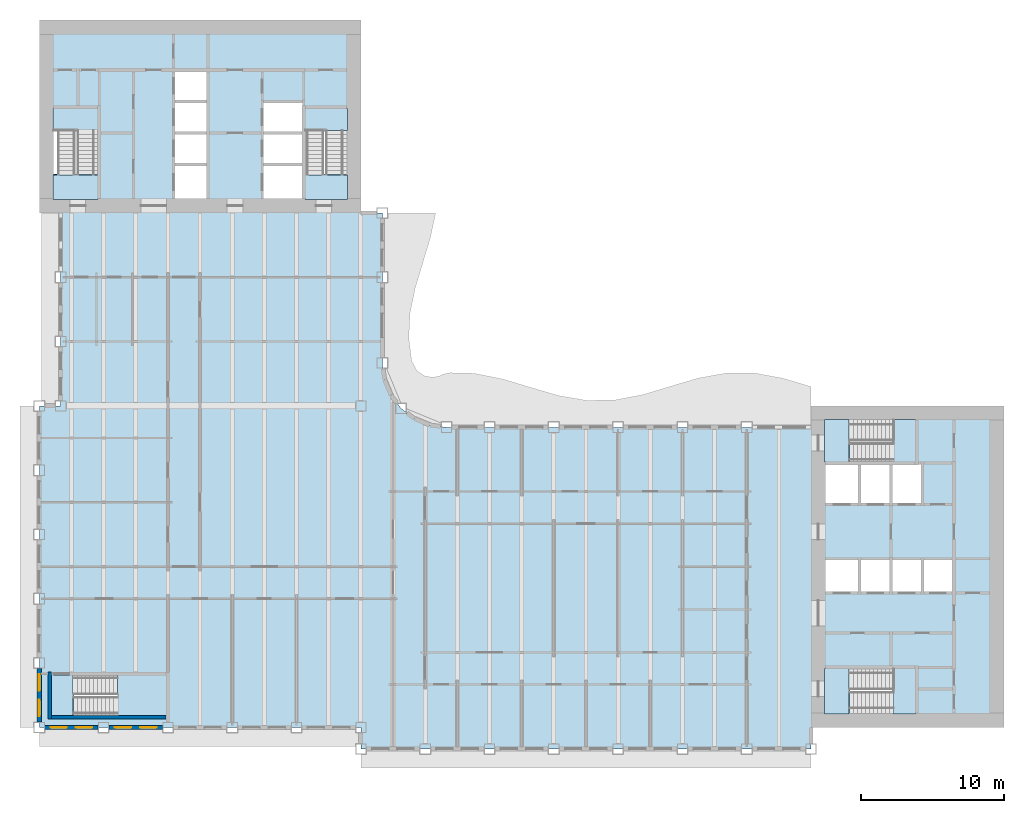
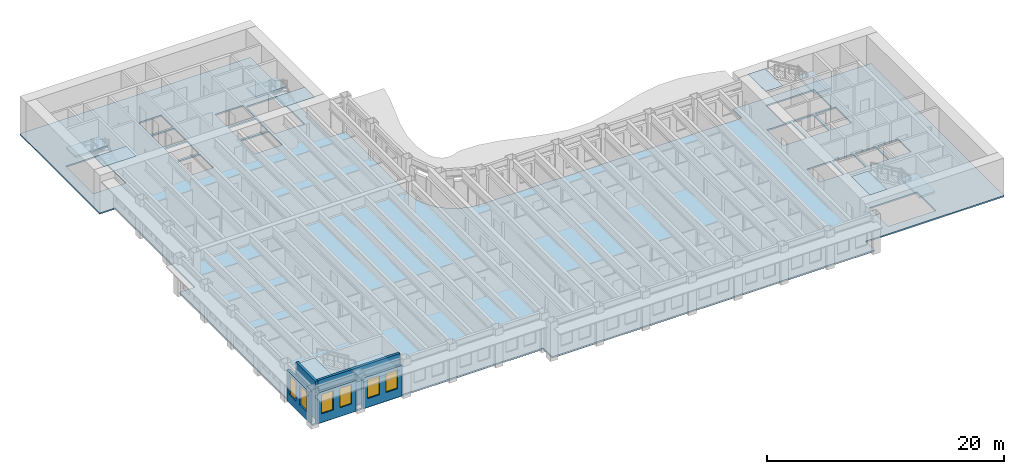
# One storey, part 2 of 17: 11 slabs, 6 windows, 5 walls, 6 openings, 5 elements without a shape of their own.
"""IFC4 building model written with IfcOpenShell, lengths in metres."""

from ifc_helpers import new_model, si_unit, direction, frame, frame_2d, origin, place, context, subcontext, project, spatial, polyline, rectangle, outline, extrude, material, layer, layer_set, type_object, element, fill, aggregate, save


model = new_model("IFC4")

# Units and contexts
model_context = context("Model", 3, precision=1e-05, world=origin(), true_north=direction((0.0, 1.0)))
body_context = subcontext(model_context, "Body", "Model", "MODEL_VIEW")
ifc_project = project(units=[si_unit("LENGTHUNIT", "METRE"), si_unit("AREAUNIT", "SQUARE_METRE"), si_unit("VOLUMEUNIT", "CUBIC_METRE"), si_unit("PLANEANGLEUNIT", "RADIAN"), si_unit("MASSUNIT", "GRAM", prefix="KILO")], contexts=[model_context])

# Site, building, storey
site_placement = place(None, origin())
site = spatial("IfcSite", under=ifc_project, at=site_placement, CompositionType="ELEMENT")
building_placement = place(site_placement, origin())
building = spatial("IfcBuilding", under=site, at=building_placement, Name="Sennacour Bend Tower", CompositionType="ELEMENT")
storey_placement = place(building_placement, frame((0.0, 0.0, 199.0)))
storey = spatial("IfcBuildingStorey", under=building, at=storey_placement, Name="L45", CompositionType="ELEMENT", Elevation=199.0)

# Slabs
ifc_material_1 = material(Name="Concrete C30/37", Category="concrete")
ifc_layer_1 = layer(ifc_material_1, 0.14990234375, Name="Concrete C30/37", Category="concrete")
ifc_layer_set_1 = layer_set([ifc_layer_1], Name="Concrete C30/37")
slab_type_1 = type_object("IfcSlabType", Name="Floor slab 150", PredefinedType="FLOOR", material=ifc_layer_set_1)
slab_1_placement = place(storey_placement, frame((0.0, 0.0, -0.14990234375)))
element("IfcSlab", 1, at=slab_1_placement, inside=storey, type_object=slab_type_1, Name="Floor slab L45-01", PredefinedType="FLOOR", context=body_context, shape_type="SweptSolid", body=[
    extrude(outline(polyline([(22.5, 0.0), (0.0, 0.0), (0.0, 22.5), (1.5, 22.5), (1.5, 36.0), (0.0, 36.0), (0.0, 49.5), (22.5, 49.5), (22.5, 36.0), (24.0, 36.0), (24.0, 25.5), (24.1533203125, 24.335205078125), (24.602783203125, 23.25), (25.318115234375, 22.318115234375), (26.25, 21.602783203125), (27.335205078125, 21.1533203125), (28.5, 21.0), (54.0, 21.0), (54.0, 22.5), (67.5, 22.5), (67.5, 0.0), (54.0, 0.0), (54.0, -1.5), (22.5, -1.5), (22.5, 0.0)]), holes=[polyline([(8.800048828125, 0.949951171875), (8.800048828125, 3.5), (2.429931640625, 3.5), (2.429931640625, 0.949951171875), (8.800048828125, 0.949951171875)]), polyline([(11.699951171875, 37.0), (11.699951171875, 39.300048828125), (9.5, 39.300048828125), (9.5, 37.0), (11.699951171875, 37.0)]), polyline([(18.39990234375, 37.0), (18.39990234375, 39.300048828125), (15.699951171875, 39.300048828125), (15.699951171875, 37.0), (18.39990234375, 37.0)]), polyline([(11.699951171875, 39.5), (11.699951171875, 41.5), (9.5, 41.5), (9.5, 39.5), (11.699951171875, 39.5)]), polyline([(18.39990234375, 39.5), (18.39990234375, 41.5), (15.699951171875, 41.5), (15.699951171875, 39.5), (18.39990234375, 39.5)]), polyline([(4.125, 38.72998046875), (4.125, 43.39990234375), (0.949951171875, 43.39990234375), (0.949951171875, 38.72998046875), (4.125, 38.72998046875)]), polyline([(21.550048828125, 38.72998046875), (21.550048828125, 43.39990234375), (18.574951171875, 43.39990234375), (18.574951171875, 38.72998046875), (21.550048828125, 38.72998046875)]), polyline([(9.5, 41.699951171875), (11.699951171875, 41.699951171875), (11.699951171875, 43.699951171875), (9.5, 43.699951171875), (9.5, 41.699951171875)]), polyline([(15.699951171875, 41.699951171875), (18.39990234375, 41.699951171875), (18.39990234375, 43.699951171875), (15.699951171875, 43.699951171875), (15.699951171875, 41.699951171875)]), polyline([(11.699951171875, 43.89990234375), (11.699951171875, 45.89990234375), (9.5, 45.89990234375), (9.5, 43.89990234375), (11.699951171875, 43.89990234375)]), polyline([(61.39990234375, 0.949951171875), (61.39990234375, 4.125), (56.72998046875, 4.125), (56.72998046875, 0.949951171875), (61.39990234375, 0.949951171875)]), polyline([(57.300048828125, 9.5), (57.300048828125, 11.699951171875), (55.0, 11.699951171875), (55.0, 9.5), (57.300048828125, 9.5)]), polyline([(57.5, 9.5), (59.5, 9.5), (59.5, 11.699951171875), (57.5, 11.699951171875), (57.5, 9.5)]), polyline([(59.699951171875, 9.5), (61.699951171875, 9.5), (61.699951171875, 11.699951171875), (59.699951171875, 11.699951171875), (59.699951171875, 9.5)]), polyline([(63.89990234375, 9.5), (63.89990234375, 11.699951171875), (61.89990234375, 11.699951171875), (61.89990234375, 9.5), (63.89990234375, 9.5)]), polyline([(57.300048828125, 15.699951171875), (57.300048828125, 18.39990234375), (55.0, 18.39990234375), (55.0, 15.699951171875), (57.300048828125, 15.699951171875)]), polyline([(59.5, 15.699951171875), (59.5, 18.39990234375), (57.5, 18.39990234375), (57.5, 15.699951171875), (59.5, 15.699951171875)]), polyline([(59.699951171875, 15.699951171875), (61.699951171875, 15.699951171875), (61.699951171875, 18.39990234375), (59.699951171875, 18.39990234375), (59.699951171875, 15.699951171875)]), polyline([(56.72998046875, 18.574951171875), (61.39990234375, 18.574951171875), (61.39990234375, 21.550048828125), (56.72998046875, 21.550048828125), (56.72998046875, 18.574951171875)])]), origin(), (0.0, 0.0, 1.0), 0.14990234375),
])
ifc_material_2 = material(Name="Concrete C40/50", Category="concrete")
ifc_layer_2 = layer(ifc_material_2, 0.034912109375, Name="Concrete C40/50", Category="concrete")
ifc_layer_set_2 = layer_set([ifc_layer_2], Name="Concrete C40/50")
slab_type_2 = type_object("IfcSlabType", Name="Stair arrival nib 35", PredefinedType="FLOOR", material=ifc_layer_set_2)
slab_2_placement = place(storey_placement, frame((0.0, 0.0, 3.815185546875)))
element("IfcSlab", 2, at=slab_2_placement, inside=storey, type_object=slab_type_2, Name="L45 SA1 stair arrival nib", PredefinedType="FLOOR", context=body_context, shape_type="SweptSolid", body=[
    extrude(outline(polyline([(56.64208984375, 4.125), (54.949951171875, 4.125), (54.949951171875, 0.949951171875), (56.64208984375, 0.949951171875), (56.64208984375, 4.125)])), origin(), (0.0, 0.0, 1.0), 0.034912109375),
])
slab_3_placement = place(storey_placement, frame((0.0, 0.0, 3.815185546875)))
element("IfcSlab", 3, at=slab_3_placement, inside=storey, type_object=slab_type_2, Name="L45 SA2 stair arrival nib", PredefinedType="FLOOR", context=body_context, shape_type="SweptSolid", body=[
    extrude(outline(polyline([(56.64208984375, 21.550048828125), (54.949951171875, 21.550048828125), (54.949951171875, 18.574951171875), (56.64208984375, 18.574951171875), (56.64208984375, 21.550048828125)])), origin(), (0.0, 0.0, 1.0), 0.034912109375),
])
slab_4_placement = place(storey_placement, frame((0.0, 0.0, 3.815185546875)))
element("IfcSlab", 4, at=slab_4_placement, inside=storey, type_object=slab_type_2, Name="L45 SB1 stair arrival nib", PredefinedType="FLOOR", context=body_context, shape_type="SweptSolid", body=[
    extrude(outline(polyline([(0.949951171875, 38.64208984375), (0.949951171875, 36.949951171875), (4.125, 36.949951171875), (4.125, 38.64208984375), (0.949951171875, 38.64208984375)])), origin(), (0.0, 0.0, 1.0), 0.034912109375),
])
slab_5_placement = place(storey_placement, frame((0.0, 0.0, 3.815185546875)))
element("IfcSlab", 5, at=slab_5_placement, inside=storey, type_object=slab_type_2, Name="L45 SB2 stair arrival nib", PredefinedType="FLOOR", context=body_context, shape_type="SweptSolid", body=[
    extrude(outline(polyline([(18.574951171875, 38.64208984375), (18.574951171875, 36.949951171875), (21.550048828125, 36.949951171875), (21.550048828125, 38.64208984375), (18.574951171875, 38.64208984375)])), origin(), (0.0, 0.0, 1.0), 0.034912109375),
])
slab_6_placement = place(storey_placement, frame((0.0, 0.0, 3.815185546875)))
element("IfcSlab", 6, at=slab_6_placement, inside=storey, type_object=slab_type_2, Name="L45 SK1 stair arrival nib", PredefinedType="FLOOR", context=body_context, shape_type="SweptSolid", body=[
    extrude(outline(polyline([(2.342041015625, 3.675048828125), (0.800048828125, 3.675048828125), (0.800048828125, 0.800048828125), (2.342041015625, 0.800048828125), (2.342041015625, 3.675048828125)])), origin(), (0.0, 0.0, 1.0), 0.034912109375),
])

# Stair, slab
stair_type = type_object("IfcStairType", Name="ST-DOGLEG", PredefinedType="HALF_TURN_STAIR", material=ifc_material_2)
stair_1_placement = place(storey_placement, origin())
stair_1 = element("IfcStair", 7, at=stair_1_placement, inside=storey, type_object=stair_type, Name="L45 Exit stair A1", PredefinedType="HALF_TURN_STAIR")
ifc_layer_3 = layer(ifc_material_2, 0.199951171875, Name="Concrete C40/50", Category="concrete")
ifc_layer_set_3 = layer_set([ifc_layer_3], Name="Concrete C40/50")
slab_type_3 = type_object("IfcSlabType", Name="Stair landing 200", PredefinedType="LANDING", material=ifc_layer_set_3)
slab_7_placement = place(storey_placement, frame((0.0, 0.0, 1.800048828125)))
slab_7 = element("IfcSlab", 8, at=slab_7_placement, type_object=slab_type_3, Name="SA1 landing 1", PredefinedType="LANDING", context=body_context, shape_type="SweptSolid", body=[
    extrude(outline(polyline([(59.780029296875, 0.949951171875), (61.324951171875, 0.949951171875), (61.324951171875, 4.125), (59.780029296875, 4.125), (59.780029296875, 0.949951171875)])), origin(), (0.0, 0.0, 1.0), 0.199951171875),
])
aggregate(stair_1, [slab_7])

stair_2_placement = place(storey_placement, origin())
stair_2 = element("IfcStair", 9, at=stair_2_placement, inside=storey, type_object=stair_type, Name="L45 Exit stair A2", PredefinedType="HALF_TURN_STAIR")
slab_8_placement = place(storey_placement, frame((0.0, 0.0, 1.800048828125)))
slab_8 = element("IfcSlab", 10, at=slab_8_placement, type_object=slab_type_3, Name="SA2 landing 1", PredefinedType="LANDING", context=body_context, shape_type="SweptSolid", body=[
    extrude(outline(polyline([(59.780029296875, 18.574951171875), (61.324951171875, 18.574951171875), (61.324951171875, 21.550048828125), (59.780029296875, 21.550048828125), (59.780029296875, 18.574951171875)])), origin(), (0.0, 0.0, 1.0), 0.199951171875),
])
aggregate(stair_2, [slab_8])

stair_3_placement = place(storey_placement, origin())
stair_3 = element("IfcStair", 11, at=stair_3_placement, inside=storey, type_object=stair_type, Name="L45 Exit stair B1", PredefinedType="HALF_TURN_STAIR")
slab_9_placement = place(storey_placement, frame((0.0, 0.0, 1.800048828125)))
slab_9 = element("IfcSlab", 12, at=slab_9_placement, type_object=slab_type_3, Name="SB1 landing 1", PredefinedType="LANDING", context=body_context, shape_type="SweptSolid", body=[
    extrude(outline(polyline([(0.949951171875, 41.780029296875), (4.125, 41.780029296875), (4.125, 43.324951171875), (0.949951171875, 43.324951171875), (0.949951171875, 41.780029296875)])), origin(), (0.0, 0.0, 1.0), 0.199951171875),
])
aggregate(stair_3, [slab_9])

stair_4_placement = place(storey_placement, origin())
stair_4 = element("IfcStair", 13, at=stair_4_placement, inside=storey, type_object=stair_type, Name="L45 Exit stair B2", PredefinedType="HALF_TURN_STAIR")
slab_10_placement = place(storey_placement, frame((0.0, 0.0, 1.800048828125)))
slab_10 = element("IfcSlab", 14, at=slab_10_placement, type_object=slab_type_3, Name="SB2 landing 1", PredefinedType="LANDING", context=body_context, shape_type="SweptSolid", body=[
    extrude(outline(polyline([(18.574951171875, 41.780029296875), (21.550048828125, 41.780029296875), (21.550048828125, 43.324951171875), (18.574951171875, 43.324951171875), (18.574951171875, 41.780029296875)])), origin(), (0.0, 0.0, 1.0), 0.199951171875),
])
aggregate(stair_4, [slab_10])

stair_5_placement = place(storey_placement, origin())
stair_5 = element("IfcStair", 15, at=stair_5_placement, inside=storey, type_object=stair_type, Name="L45 Exit stair K1", PredefinedType="HALF_TURN_STAIR")
slab_11_placement = place(storey_placement, frame((0.0, 0.0, 1.800048828125)))
slab_11 = element("IfcSlab", 16, at=slab_11_placement, type_object=slab_type_3, Name="SK1 landing 1", PredefinedType="LANDING", context=body_context, shape_type="SweptSolid", body=[
    extrude(outline(polyline([(5.47998046875, 0.800048828125), (8.925048828125, 0.800048828125), (8.925048828125, 3.675048828125), (5.47998046875, 3.675048828125), (5.47998046875, 0.800048828125)])), origin(), (0.0, 0.0, 1.0), 0.199951171875),
])
aggregate(stair_5, [slab_11])

# Wall, openings, windows
ifc_material_3 = material(Name="Warm limestone cladding", Category="masonry")
ifc_layer_4 = layer(ifc_material_3, 0.050048828125, Name="Warm limestone cladding", Category="masonry")
ifc_material_4 = material(Name="Precast concrete C40/50", Category="concrete")
ifc_layer_5 = layer(ifc_material_4, 0.25, Name="Precast concrete C40/50", Category="concrete")
ifc_layer_set_4 = layer_set([ifc_layer_4, ifc_layer_5], Name="Precast concrete C40/50 with limestone cladding")
wall_type_1 = type_object("IfcWallType", Name="STONE-CLAD PRECAST SPANDREL 300", PredefinedType="STANDARD", material=ifc_layer_set_4)
wall_1_placement = place(storey_placement, frame((0.0, 4.125, 0.0), z_axis=(0.0, 0.0, 1.0), x_axis=(0.0, -1.0, 0.0)))
wall_1 = element("IfcWall", 17, at=wall_1_placement, inside=storey, type_object=wall_type_1, Name="Stone spandrel and pier wall L45 21.04", PredefinedType="STANDARD", context=body_context, shape_type="SweptSolid", body=[
    extrude(rectangle(XDim=3.75, YDim=0.300048828125, at=frame_2d((1.875, 0.0))), origin(), (0.0, 0.0, 1.0), 3.156982421875),
])
opening_1_placement = place(wall_1_placement, frame((0.41259765625, 0.0, 0.89990234375)))
opening_1 = element("IfcOpeningElement", 18, at=opening_1_placement, cuts=wall_1, Name="Opening W24", PredefinedType="OPENING", context=body_context, shape_type="SweptSolid", body=[
    extrude(rectangle(XDim=1.14990234375, YDim=2.0, at=frame_2d((0.574951171875, 1.0))), frame((0.0, 0.16015625, 0.0), z_axis=(0.0, -1.0, 0.0), x_axis=(1.0, 0.0, 0.0)), (0.0, 0.0, 1.0), 0.320068359375),
])
opening_2_placement = place(wall_1_placement, frame((2.1875, 0.0, 0.89990234375)))
opening_2 = element("IfcOpeningElement", 19, at=opening_2_placement, cuts=wall_1, Name="Opening W24", PredefinedType="OPENING", context=body_context, shape_type="SweptSolid", body=[
    extrude(rectangle(XDim=1.14990234375, YDim=2.0, at=frame_2d((0.574951171875, 1.0))), frame((0.0, 0.16015625, 0.0), z_axis=(0.0, -1.0, 0.0), x_axis=(1.0, 0.0, 0.0)), (0.0, 0.0, 1.0), 0.320068359375),
])
ifc_material_5 = material(Name="Clear low-emissivity glass", Category="glass")
window_type = type_object("IfcWindowType", Name="WIN-RIBBON-1150x2000", PartitioningType="SINGLE_PANEL", PredefinedType="WINDOW", material=ifc_material_5)
window_1_placement = place(opening_1_placement, origin())
window_1 = element("IfcWindow", 20, at=window_1_placement, inside=storey, type_object=window_type, Name="Ribbon window L45 21.04.0", OverallHeight=2.0, OverallWidth=1.14990234375, PartitioningType="SINGLE_PANEL", PredefinedType="WINDOW", context=body_context, shape_type="SweptSolid", body=[
    extrude(rectangle(XDim=1.14990234375, YDim=2.0, at=frame_2d((0.574951171875, 1.0))), frame((0.0, 0.030029296875, 0.0), z_axis=(0.0, -1.0, 0.0), x_axis=(1.0, 0.0, 0.0)), (0.0, 0.0, 1.0), 0.06005859375),
])
fill(opening_1, window_1)
window_2_placement = place(opening_2_placement, origin())
window_2 = element("IfcWindow", 21, at=window_2_placement, inside=storey, type_object=window_type, Name="Ribbon window L45 21.04.1", OverallHeight=2.0, OverallWidth=1.14990234375, PartitioningType="SINGLE_PANEL", PredefinedType="WINDOW", context=body_context, shape_type="SweptSolid", body=[
    extrude(rectangle(XDim=1.14990234375, YDim=2.0, at=frame_2d((0.574951171875, 1.0))), frame((0.0, 0.030029296875, 0.0), z_axis=(0.0, -1.0, 0.0), x_axis=(1.0, 0.0, 0.0)), (0.0, 0.0, 1.0), 0.06005859375),
])
fill(opening_2, window_2)

wall_2_placement = place(storey_placement, frame((0.375, 0.0, 0.0), z_axis=(0.0, 0.0, 1.0), x_axis=(1.0, 0.0, 0.0)))
wall_2 = element("IfcWall", 22, at=wall_2_placement, inside=storey, type_object=wall_type_1, Name="Stone spandrel and pier wall L45 22.00", PredefinedType="STANDARD", context=body_context, shape_type="SweptSolid", body=[
    extrude(rectangle(XDim=3.75, YDim=0.300048828125, at=frame_2d((1.875, 0.0))), origin(), (0.0, 0.0, 1.0), 3.156982421875),
])
opening_3_placement = place(wall_2_placement, frame((0.41259765625, 0.0, 0.89990234375)))
opening_3 = element("IfcOpeningElement", 23, at=opening_3_placement, cuts=wall_2, Name="Opening W24", PredefinedType="OPENING", context=body_context, shape_type="SweptSolid", body=[
    extrude(rectangle(XDim=1.14990234375, YDim=2.0, at=frame_2d((0.574951171875, 1.0))), frame((0.0, 0.16015625, 0.0), z_axis=(0.0, -1.0, 0.0), x_axis=(1.0, 0.0, 0.0)), (0.0, 0.0, 1.0), 0.320068359375),
])
opening_4_placement = place(wall_2_placement, frame((2.1875, 0.0, 0.89990234375)))
opening_4 = element("IfcOpeningElement", 24, at=opening_4_placement, cuts=wall_2, Name="Opening W24", PredefinedType="OPENING", context=body_context, shape_type="SweptSolid", body=[
    extrude(rectangle(XDim=1.14990234375, YDim=2.0, at=frame_2d((0.574951171875, 1.0))), frame((0.0, 0.16015625, 0.0), z_axis=(0.0, -1.0, 0.0), x_axis=(1.0, 0.0, 0.0)), (0.0, 0.0, 1.0), 0.320068359375),
])
window_3_placement = place(opening_3_placement, origin())
window_3 = element("IfcWindow", 25, at=window_3_placement, inside=storey, type_object=window_type, Name="Ribbon window L45 22.00.0", OverallHeight=2.0, OverallWidth=1.14990234375, PartitioningType="SINGLE_PANEL", PredefinedType="WINDOW", context=body_context, shape_type="SweptSolid", body=[
    extrude(rectangle(XDim=1.14990234375, YDim=2.0, at=frame_2d((0.574951171875, 1.0))), frame((0.0, 0.030029296875, 0.0), z_axis=(0.0, -1.0, 0.0), x_axis=(1.0, 0.0, 0.0)), (0.0, 0.0, 1.0), 0.06005859375),
])
fill(opening_3, window_3)
window_4_placement = place(opening_4_placement, origin())
window_4 = element("IfcWindow", 26, at=window_4_placement, inside=storey, type_object=window_type, Name="Ribbon window L45 22.00.1", OverallHeight=2.0, OverallWidth=1.14990234375, PartitioningType="SINGLE_PANEL", PredefinedType="WINDOW", context=body_context, shape_type="SweptSolid", body=[
    extrude(rectangle(XDim=1.14990234375, YDim=2.0, at=frame_2d((0.574951171875, 1.0))), frame((0.0, 0.030029296875, 0.0), z_axis=(0.0, -1.0, 0.0), x_axis=(1.0, 0.0, 0.0)), (0.0, 0.0, 1.0), 0.06005859375),
])
fill(opening_4, window_4)

wall_3_placement = place(storey_placement, frame((4.875, 0.0, 0.0), z_axis=(0.0, 0.0, 1.0), x_axis=(1.0, 0.0, 0.0)))
wall_3 = element("IfcWall", 27, at=wall_3_placement, inside=storey, type_object=wall_type_1, Name="Stone spandrel and pier wall L45 22.01", PredefinedType="STANDARD", context=body_context, shape_type="SweptSolid", body=[
    extrude(rectangle(XDim=3.75, YDim=0.300048828125, at=frame_2d((1.875, 0.0))), origin(), (0.0, 0.0, 1.0), 3.156982421875),
])
opening_5_placement = place(wall_3_placement, frame((0.41259765625, 0.0, 0.89990234375)))
opening_5 = element("IfcOpeningElement", 28, at=opening_5_placement, cuts=wall_3, Name="Opening W24", PredefinedType="OPENING", context=body_context, shape_type="SweptSolid", body=[
    extrude(rectangle(XDim=1.14990234375, YDim=2.0, at=frame_2d((0.574951171875, 1.0))), frame((0.0, 0.16015625, 0.0), z_axis=(0.0, -1.0, 0.0), x_axis=(1.0, 0.0, 0.0)), (0.0, 0.0, 1.0), 0.320068359375),
])
opening_6_placement = place(wall_3_placement, frame((2.1875, 0.0, 0.89990234375)))
opening_6 = element("IfcOpeningElement", 29, at=opening_6_placement, cuts=wall_3, Name="Opening W24", PredefinedType="OPENING", context=body_context, shape_type="SweptSolid", body=[
    extrude(rectangle(XDim=1.14990234375, YDim=2.0, at=frame_2d((0.574951171875, 1.0))), frame((0.0, 0.16015625, 0.0), z_axis=(0.0, -1.0, 0.0), x_axis=(1.0, 0.0, 0.0)), (0.0, 0.0, 1.0), 0.320068359375),
])
window_5_placement = place(opening_5_placement, origin())
window_5 = element("IfcWindow", 30, at=window_5_placement, inside=storey, type_object=window_type, Name="Ribbon window L45 22.01.0", OverallHeight=2.0, OverallWidth=1.14990234375, PartitioningType="SINGLE_PANEL", PredefinedType="WINDOW", context=body_context, shape_type="SweptSolid", body=[
    extrude(rectangle(XDim=1.14990234375, YDim=2.0, at=frame_2d((0.574951171875, 1.0))), frame((0.0, 0.030029296875, 0.0), z_axis=(0.0, -1.0, 0.0), x_axis=(1.0, 0.0, 0.0)), (0.0, 0.0, 1.0), 0.06005859375),
])
fill(opening_5, window_5)
window_6_placement = place(opening_6_placement, origin())
window_6 = element("IfcWindow", 31, at=window_6_placement, inside=storey, type_object=window_type, Name="Ribbon window L45 22.01.1", OverallHeight=2.0, OverallWidth=1.14990234375, PartitioningType="SINGLE_PANEL", PredefinedType="WINDOW", context=body_context, shape_type="SweptSolid", body=[
    extrude(rectangle(XDim=1.14990234375, YDim=2.0, at=frame_2d((0.574951171875, 1.0))), frame((0.0, 0.030029296875, 0.0), z_axis=(0.0, -1.0, 0.0), x_axis=(1.0, 0.0, 0.0)), (0.0, 0.0, 1.0), 0.06005859375),
])
fill(opening_6, window_6)

# Walls
ifc_material_6 = material(Name="Concrete C60/75", Category="concrete")
ifc_layer_6 = layer(ifc_material_6, 0.25, Name="Concrete C60/75", Category="concrete")
ifc_layer_set_5 = layer_set([ifc_layer_6], Name="Concrete C60/75")
wall_type_2 = type_object("IfcWallType", Name="Stair wall 250", PredefinedType="SHEAR", material=ifc_layer_set_5)
wall_4_placement = place(storey_placement, frame((0.72509765625, 0.60009765625, 0.0), z_axis=(0.0, 0.0, 1.0), x_axis=(0.0, 1.0, 0.0)))
element("IfcWall", 32, at=wall_4_placement, inside=storey, type_object=wall_type_2, Name="P-L45-W002", PredefinedType="SHEAR", context=body_context, shape_type="SweptSolid", body=[
    extrude(rectangle(XDim=3.27490234375, YDim=0.25, at=frame_2d((1.637451171875, 0.0))), origin(), (0.0, 0.0, 1.0), 3.85009765625),
])
wall_5_placement = place(storey_placement, frame((0.85009765625, 0.72509765625, 0.0), z_axis=(0.0, 0.0, 1.0), x_axis=(1.0, 0.0, 0.0)))
element("IfcWall", 33, at=wall_5_placement, inside=storey, type_object=wall_type_2, Name="P-L45-W056", PredefinedType="SHEAR", context=body_context, shape_type="SweptSolid", body=[
    extrude(rectangle(XDim=8.02490234375, YDim=0.25, at=frame_2d((4.012451171875, 0.0))), origin(), (0.0, 0.0, 1.0), 3.85009765625),
])

save(model, "model.ifc")
